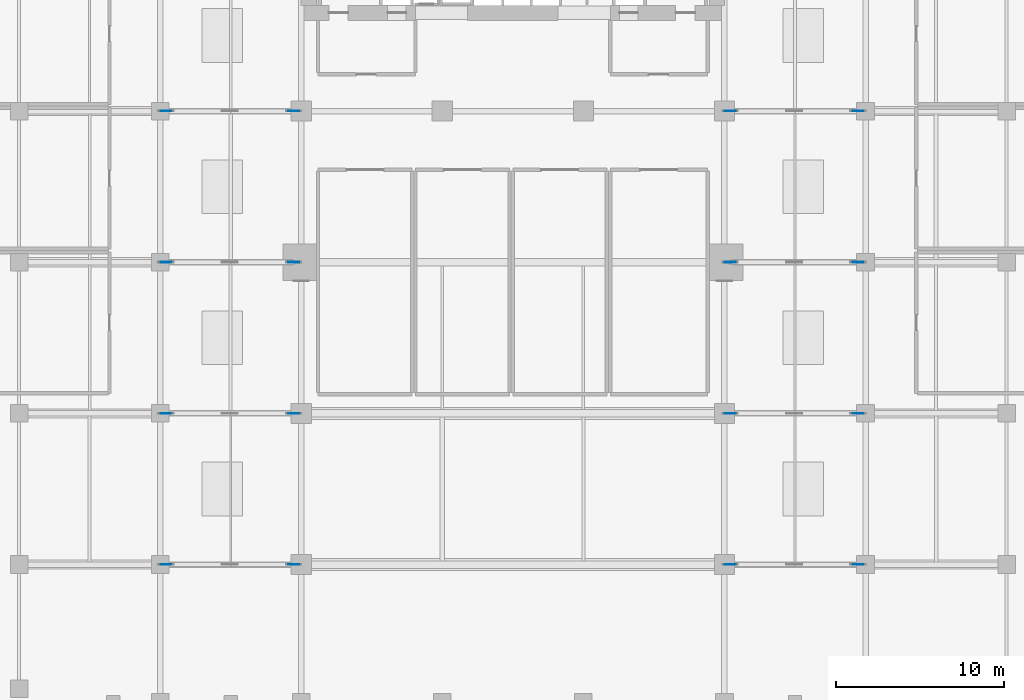
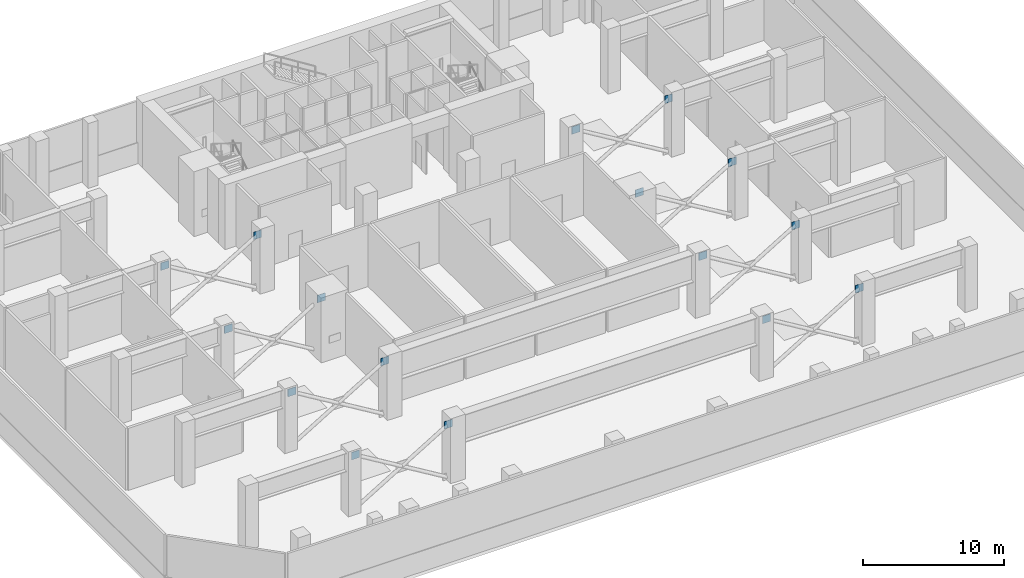
# One storey, part 6 of 15: 16 plates.
"""IFC4 building model written with IfcOpenShell, lengths in metres."""

import ifcopenshell
import ifcopenshell.guid

model = None  # the IFC model being written
_history = None  # IfcOwnerHistory: only IFC2X3 demands one
_inside = {}  # id of a spatial element -> (the spatial element, [elements in it])
_under = {}  # id of a project, library or spatial element -> (it, [spatial elements below it])
_declared = {}  # id of a project -> (the project, [libraries it declares])
_typed = {}  # id of a type object -> (the type object, [elements of that type])
_made_of = {}  # id of a material, layer set ... -> (it, [elements and type objects made of it])


def new_model(schema):
    """Start an empty IFC model of exactly this schema.

    Asked for "IFC4X3", IfcOpenShell would pick the latest addendum, in which some entities
    have other attributes; the version numbers below select the first issue.
    IFC2X3 requires an IfcOwnerHistory on every rooted entity: one is made here for all.
    """
    global model, _history
    if schema == "IFC4X3":
        model = ifcopenshell.file(schema_version=(4, 3, 0, 0))
    else:
        model = ifcopenshell.file(schema=schema)
    _inside.clear()
    _under.clear()
    _declared.clear()
    _typed.clear()
    _made_of.clear()
    _history = None
    if model.schema == "IFC2X3":
        org = make("IfcOrganization", Name="unknown")
        user = make(
            "IfcPersonAndOrganization",
            ThePerson=make("IfcPerson", FamilyName="unknown"),
            TheOrganization=org,
        )
        app = make(
            "IfcApplication",
            ApplicationDeveloper=org,
            Version="unknown",
            ApplicationFullName="unknown",
            ApplicationIdentifier="unknown",
        )
        _history = make(
            "IfcOwnerHistory",
            OwningUser=user,
            OwningApplication=app,
            ChangeAction="ADDED",
            CreationDate=0,
        )
    return model


def make(cls, **values):
    """One entity of the class cls with the attributes given. An attribute that is None is left unset."""
    return model.create_entity(
        cls, **{name: value for name, value in values.items() if value is not None}
    )


def rooted(cls, **values):
    """An entity with a GlobalId (a new one), such as an element, a storey or a relation."""
    return make(cls, GlobalId=ifcopenshell.guid.new(), OwnerHistory=_history, **values)


def si_unit(unit_type, name, prefix=None):
    """IfcSIUnit, for example si_unit("LENGTHUNIT", "METRE", prefix="MILLI")."""
    return make("IfcSIUnit", UnitType=unit_type, Prefix=prefix, Name=name)


def assignment(units):
    """IfcUnitAssignment: the units of a project."""
    return None if units is None else make("IfcUnitAssignment", Units=units)


def point(xyz):
    """IfcCartesianPoint."""
    return None if xyz is None else make("IfcCartesianPoint", Coordinates=xyz)


def direction(xyz):
    """IfcDirection."""
    return None if xyz is None else make("IfcDirection", DirectionRatios=xyz)


def frame(location, z_axis=None, x_axis=None):
    """IfcAxis2Placement3D, a coordinate frame: its origin and axes. An axis left out is left unset."""
    return make(
        "IfcAxis2Placement3D",
        Location=point(location),
        Axis=direction(z_axis),
        RefDirection=direction(x_axis),
    )


def frame_2d(location, x_axis=None):
    """IfcAxis2Placement2D, a coordinate frame in the plane: its origin and x axis."""
    return make(
        "IfcAxis2Placement2D", Location=point(location), RefDirection=direction(x_axis)
    )


def origin():
    """The frame at (0, 0, 0) with its axes left unset."""
    return frame((0.0, 0.0, 0.0))


def origin_2d():
    """The frame at (0, 0) in the plane with its x axis left unset."""
    return frame_2d((0.0, 0.0))


def place(relative_to, where):
    """IfcLocalPlacement: puts the frame where relative to a parent placement (None: the world)."""
    return make(
        "IfcLocalPlacement", PlacementRelTo=relative_to, RelativePlacement=where
    )


def context(
    kind, dimensions, precision=None, world=None, true_north=None, identifier=None
):
    """IfcGeometricRepresentationContext, for example the 3D "Model" context."""
    return make(
        "IfcGeometricRepresentationContext",
        ContextIdentifier=identifier,
        ContextType=kind,
        CoordinateSpaceDimension=dimensions,
        Precision=precision,
        WorldCoordinateSystem=world,
        TrueNorth=true_north,
    )


def subcontext(parent, identifier, kind, view, scale=None):
    """IfcGeometricRepresentationSubContext, for example "Body" below "Model"."""
    return make(
        "IfcGeometricRepresentationSubContext",
        ContextIdentifier=identifier,
        ContextType=kind,
        ParentContext=parent,
        TargetScale=scale,
        TargetView=view,
    )


def project(units=None, contexts=None):
    """IfcProject with its units and contexts."""
    return rooted(
        "IfcProject",
        Name="project",
        RepresentationContexts=contexts,
        UnitsInContext=assignment(units),
    )


def spatial(cls, under=None, at=None, **own):
    """A site, building, storey or space (cls), placed at a placement, below another one or the project."""
    s = rooted(cls, ObjectPlacement=at, **own)
    if under is not None:
        _under.setdefault(under.id(), (under, []))[1].append(s)
    return s


def profile(cls, at=None, kind="AREA", **sizes):
    """A parametric profile (cls). Its sizes go by their IFC names, for example OverallWidth=200.0."""
    return make(cls, ProfileType=kind, Position=at, **sizes)


def rectangle(**sizes):
    """IfcRectangleProfileDef."""
    return profile("IfcRectangleProfileDef", **sizes)


def extrude(swept, where, along, depth):
    """IfcExtrudedAreaSolid: the profile swept, set in the frame where, extruded along a direction by depth."""
    return make(
        "IfcExtrudedAreaSolid",
        SweptArea=swept,
        Position=where,
        ExtrudedDirection=direction(along),
        Depth=depth,
    )


def shape(context_of_items, identifier, shape_type, items):
    """IfcShapeRepresentation: the items that make up one representation, for example the "Body"."""
    return make(
        "IfcShapeRepresentation",
        ContextOfItems=context_of_items,
        RepresentationIdentifier=identifier,
        RepresentationType=shape_type,
        Items=items,
    )


def material(Name=None, Category=None):
    """IfcMaterial."""
    return make("IfcMaterial", Name=Name, Category=Category)


def layer(
    of_material, thickness, ventilated=None, Name=None, Category=None, Priority=None
):
    """IfcMaterialLayer: one layer of a wall or slab, of a material (None: an air gap)."""
    return make(
        "IfcMaterialLayer",
        Material=of_material,
        LayerThickness=thickness,
        IsVentilated=ventilated,
        Name=Name,
        Category=Category,
        Priority=Priority,
    )


def layer_set(layers, Name=None):
    """IfcMaterialLayerSet."""
    return make("IfcMaterialLayerSet", MaterialLayers=layers, LayerSetName=Name)


def made_of(thing, what):
    """Note that an element or type object is made of a material, layer set ...; save() writes the relation."""
    if what is not None:
        _made_of.setdefault(what.id(), (what, []))[1].append(thing)
    return thing


def type_object(cls, material=None, **own):
    """A type object (cls), such as IfcWallType, which elements share."""
    return made_of(rooted(cls, **own), material)


def element(
    cls,
    number,
    at=None,
    inside=None,
    cuts=None,
    type_object=None,
    material=None,
    context=None,
    identifier="Body",
    shape_type=None,
    held_by="IfcProductDefinitionShape",
    body=None,
    shapes=None,
    **own,
):
    """One element of the class cls, such as IfcWall. Its Tag is "e" and its number.

    at: its placement. inside: the storey or other place that contains it. cuts: it is an
    opening in that element (IfcRelVoidsElement). A single representation is given by context,
    identifier, shape_type and body (its items); several are given by shapes. held_by: the class
    of the entity that holds the representations. save() writes the other relations.
    """
    e = rooted(cls, Tag="e%d" % number, ObjectPlacement=at, **own)
    if body is not None:
        shapes = [shape(context, identifier, shape_type, body)]
    if shapes is not None:
        e.Representation = make(held_by, Representations=shapes)
    if inside is not None:
        _inside.setdefault(inside.id(), (inside, []))[1].append(e)
    if cuts is not None:
        rooted(
            "IfcRelVoidsElement", RelatingBuildingElement=cuts, RelatedOpeningElement=e
        )
    if type_object is not None:
        _typed.setdefault(type_object.id(), (type_object, []))[1].append(e)
    return made_of(e, material)


def aggregate(whole, parts):
    """IfcRelAggregates: a whole, such as a stair, and the parts it consists of."""
    return rooted("IfcRelAggregates", RelatingObject=whole, RelatedObjects=parts)


def save(model, path):
    """Write the relations noted so far, then the file.

    IfcRelAggregates (storeys below a building ...), IfcRelContainedInSpatialStructure (elements
    in a storey), IfcRelDefinesByType, IfcRelAssociatesMaterial and IfcRelDeclares: one each for
    every whole, place, type object, material and project.
    """
    for whole, parts in _under.values():
        aggregate(whole, parts)
    for where, things in _inside.values():
        rooted(
            "IfcRelContainedInSpatialStructure",
            RelatedElements=things,
            RelatingStructure=where,
        )
    for kind, things in _typed.values():
        rooted("IfcRelDefinesByType", RelatedObjects=things, RelatingType=kind)
    for what, things in _made_of.values():
        rooted("IfcRelAssociatesMaterial", RelatedObjects=things, RelatingMaterial=what)
    for by, libraries in _declared.values():
        rooted("IfcRelDeclares", RelatingContext=by, RelatedDefinitions=libraries)
    model.write(path)


model = new_model("IFC4")

# Units and contexts
model_context = context("Model", 3, precision=1e-05, world=origin(), true_north=direction((0.0, 1.0)))
body_context = subcontext(model_context, "Body", "Model", "MODEL_VIEW")
ifc_project = project(units=[si_unit("LENGTHUNIT", "METRE"), si_unit("AREAUNIT", "SQUARE_METRE"), si_unit("VOLUMEUNIT", "CUBIC_METRE"), si_unit("PLANEANGLEUNIT", "RADIAN"), si_unit("MASSUNIT", "GRAM", prefix="KILO")], contexts=[model_context])

# Site, building, storey
site_placement = place(None, origin())
site = spatial("IfcSite", under=ifc_project, at=site_placement, CompositionType="ELEMENT")
building_placement = place(site_placement, origin())
building = spatial("IfcBuilding", under=site, at=building_placement, Name="Maruvema Waterfront Hotel and Observation Tower", CompositionType="ELEMENT")
storey_placement = place(building_placement, frame((0.0, 0.0, 21.35009765625)))
storey = spatial("IfcBuildingStorey", under=building, at=storey_placement, Name="L04", CompositionType="ELEMENT", Elevation=21.35009765625)

# Plates
ifc_material = material(Name="Steel ABNT NBR 7007 AR 415 (ASTM A572 Grade 50)", Category="steel")
ifc_layer = layer(ifc_material, 0.034912109375, Name="Hollow Section Sealed End Cap Plate 35 mm")
ifc_layer_set = layer_set([ifc_layer], Name="Steel ABNT NBR 7007 AR 415 (ASTM A572 Grade 50)")
plate_type = type_object("IfcPlateType", Name="Hollow Section Sealed End Cap Plate 35 mm", PredefinedType="USERDEFINED", material=ifc_layer_set)
for number, where, z_axis, x_axis, name in (
    (1, (24.75, 9.0, 4.4150390625), (0.0, 0.0, 1.0), (1.0, 0.0, 0.0), "L04 Transfer Truss Diagonal 01 Continuous A Node Plate 2"),
    (2, (17.14990234375, 9.0, 4.4150390625), (0.0, 0.0, 1.0), (-1.0, 0.0, 0.0), "L04 Transfer Truss Diagonal 01 Split Upper B2 Node Plate 2"),
    (3, (58.35009765625, 9.0, 4.4150390625), (0.0, 0.0, 1.0), (1.0, 0.0, 0.0), "L04 Transfer Truss Diagonal 02 Continuous A Node Plate 2"),
    (4, (50.75, 9.0, 4.4150390625), (0.0, 0.0, 1.0), (-1.0, 0.0, 0.0), "L04 Transfer Truss Diagonal 02 Split Upper B2 Node Plate 2"),
    (5, (24.75, 18.0, 4.4150390625), (0.0, 0.0, 1.0), (1.0, 0.0, 0.0), "L04 Transfer Truss Diagonal 03 Continuous A Node Plate 2"),
    (6, (17.14990234375, 18.0, 4.4150390625), (0.0, 0.0, 1.0), (-1.0, 0.0, 0.0), "L04 Transfer Truss Diagonal 03 Split Upper B2 Node Plate 2"),
    (7, (58.35009765625, 18.0, 4.4150390625), (0.0, 0.0, 1.0), (1.0, 0.0, 0.0), "L04 Transfer Truss Diagonal 04 Continuous A Node Plate 2"),
    (8, (50.75, 18.0, 4.4150390625), (0.0, 0.0, 1.0), (-1.0, 0.0, 0.0), "L04 Transfer Truss Diagonal 04 Split Upper B2 Node Plate 2"),
    (9, (24.75, 27.0, 4.4150390625), (0.0, 0.0, 1.0), (1.0, 0.0, 0.0), "L04 Transfer Truss Diagonal 05 Continuous A Node Plate 2"),
    (10, (17.14990234375, 27.0, 4.4150390625), (0.0, 0.0, 1.0), (-1.0, 0.0, 0.0), "L04 Transfer Truss Diagonal 05 Split Upper B2 Node Plate 2"),
    (11, (58.35009765625, 27.0, 4.4150390625), (0.0, 0.0, 1.0), (1.0, 0.0, 0.0), "L04 Transfer Truss Diagonal 06 Continuous A Node Plate 2"),
    (12, (50.75, 27.0, 4.4150390625), (0.0, 0.0, 1.0), (-1.0, 0.0, 0.0), "L04 Transfer Truss Diagonal 06 Split Upper B2 Node Plate 2"),
    (13, (24.75, 36.0, 4.4150390625), (0.0, 0.0, 1.0), (1.0, 0.0, 0.0), "L04 Transfer Truss Diagonal 07 Continuous A Node Plate 2"),
    (14, (17.14990234375, 36.0, 4.4150390625), (0.0, 0.0, 1.0), (-1.0, 0.0, 0.0), "L04 Transfer Truss Diagonal 07 Split Upper B2 Node Plate 2"),
    (15, (58.35009765625, 36.0, 4.4150390625), (0.0, 0.0, 1.0), (1.0, 0.0, 0.0), "L04 Transfer Truss Diagonal 08 Continuous A Node Plate 2"),
    (16, (50.75, 36.0, 4.4150390625), (0.0, 0.0, 1.0), (-1.0, 0.0, 0.0), "L04 Transfer Truss Diagonal 08 Split Upper B2 Node Plate 2"),
):
    element("IfcPlate", number, at=place(storey_placement, frame(where, z_axis=z_axis, x_axis=x_axis)), inside=storey, type_object=plate_type, Name=name, ObjectType="END_CAP_PLATE", PredefinedType="USERDEFINED", context=body_context, shape_type="SweptSolid", body=[
        extrude(rectangle(XDim=0.64990234375, YDim=0.034912109375, at=origin_2d()), origin(), (0.0, 0.0, 1.0), 0.64990234375),
    ])

save(model, "model.ifc")
